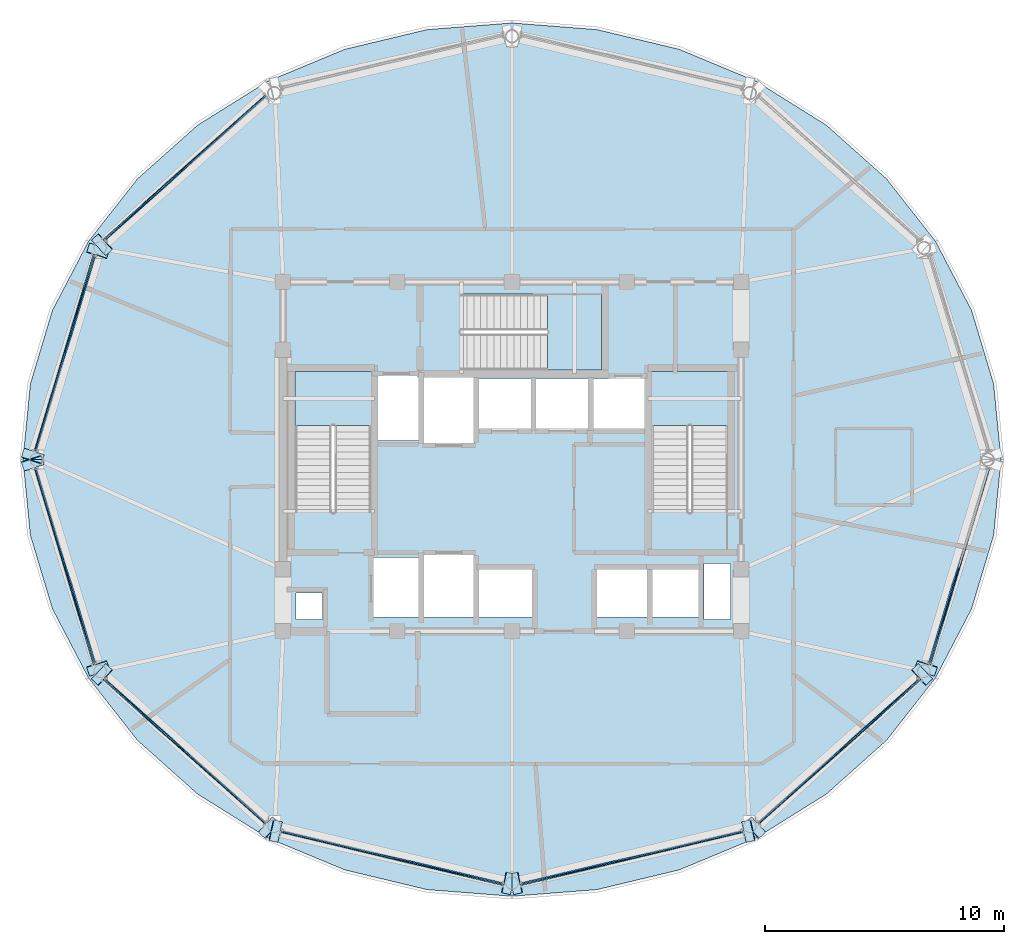
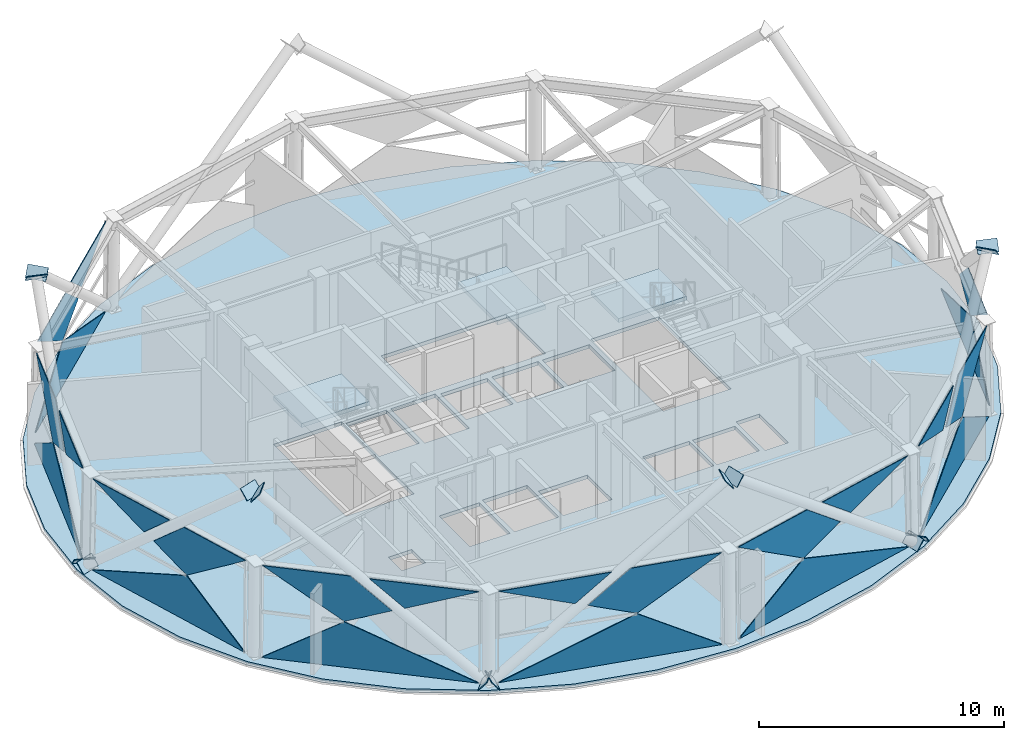
# One storey, part 6 of 14: 37 plates, 4 slabs, 11 elements without a shape of their own.
"""IFC4 building model written with IfcOpenShell, lengths in metres."""

from ifc_helpers import new_model, si_unit, direction, frame, origin, place, context, subcontext, project, spatial, polyline, outline, extrude, material, layer, layer_set, type_object, element, aggregate, save


model = new_model("IFC4")

# Units and contexts
model_context = context("Model", 3, precision=1e-05, world=origin(), true_north=direction((0.0, 1.0)))
body_context = subcontext(model_context, "Body", "Model", "MODEL_VIEW")
ifc_project = project(units=[si_unit("LENGTHUNIT", "METRE"), si_unit("AREAUNIT", "SQUARE_METRE"), si_unit("VOLUMEUNIT", "CUBIC_METRE"), si_unit("PLANEANGLEUNIT", "RADIAN"), si_unit("MASSUNIT", "GRAM", prefix="KILO")], contexts=[model_context])

# Site, building, storey
site_placement = place(None, origin())
site = spatial("IfcSite", under=ifc_project, at=site_placement, CompositionType="ELEMENT")
building_placement = place(site_placement, origin())
building = spatial("IfcBuilding", under=site, at=building_placement, Name="Vantalir Tower", CompositionType="ELEMENT")
storey_placement = place(building_placement, frame((0.0, 0.0, 259.050048828125)))
storey = spatial("IfcBuildingStorey", under=building, at=storey_placement, Name="L65", CompositionType="ELEMENT", Elevation=259.050048828125)

# Curtain wall, plates
ifc_material_1 = material(Name="Champagne-silver PVDF aluminium and double-silver Low-E glass", Category="aluminium")
ifc_layer_1 = layer(ifc_material_1, 0.22998046875)
ifc_layer_set_1 = layer_set([ifc_layer_1], Name="Champagne-silver PVDF aluminium and double-silver Low-E glass")
curtain_wall_type = type_object("IfcCurtainWallType", Name="CW-SKYLOBBY", PredefinedType="USERDEFINED", material=ifc_layer_set_1)
curtain_wall_1_placement = place(storey_placement, origin())
curtain_wall_1 = element("IfcCurtainWall", 1, at=curtain_wall_1_placement, inside=storey, type_object=curtain_wall_type, Name="L65 Quilted Pyramid-Diamond Curtain Wall S05", ObjectType="UNITISED CURTAIN WALL", PredefinedType="USERDEFINED")
ifc_material_2 = material(Name="High-clarity sky-lobby Low-E glass IGU", Category="glass")
ifc_layer_2 = layer(ifc_material_2, 0.035888671875)
ifc_layer_set_2 = layer_set([ifc_layer_2], Name="High-clarity sky-lobby Low-E glass IGU")
plate_type_1 = type_object("IfcPlateType", Name="CWP-IGU-LIGHT-36", PredefinedType="CURTAIN_PANEL", material=ifc_layer_set_2)
plate_1_placement = place(storey_placement, frame((21.127685546875, 40.270751953125, 0.047119140625), z_axis=(-0.665209640255, 0.746634118545, 0.005798925432), x_axis=(-0.746646463699, -0.665221057502, 5.3870596e-05)))
plate_1 = element("IfcPlate", 2, at=plate_1_placement, type_object=plate_type_1, Name="CW-L65-S05 Pyramid Diamond Facet 1L", PredefinedType="CURTAIN_PANEL", context=body_context, shape_type="SweptSolid", body=[
    extrude(outline(polyline([(0.0, 0.0), (9.063965951806155, 3.903127820947816e-18), (5.614265668390129, 2.2490029520814323), (0.0, 0.0)])), origin(), (0.0, 0.0, -1.0), 0.035888671875),
])
plate_2_placement = place(storey_placement, frame((17.1708984375, 36.6474609375, 4.572509765625), z_axis=(-0.665038685009, 0.74633558686, 0.026584567482), x_axis=(-0.746600637264, -0.665272488526, -6.6688574e-05)))
plate_2 = element("IfcPlate", 3, at=plate_2_placement, type_object=plate_type_1, Name="CW-L65-S05 Pyramid Diamond Facet 2U", PredefinedType="CURTAIN_PANEL", context=body_context, shape_type="SweptSolid", body=[
    extrude(outline(polyline([(0.0, 0.0), (3.67091296956547, 1.9678269430611905e-17), (0.24965990040274663, -2.2498019452031675), (-1.73638459212878, -1.4525341365943436), (0.0, 0.0)])), origin(), (0.0, 0.0, -1.0), 0.035888671875),
])
plate_3_placement = place(storey_placement, frame((21.14111328125, 40.238525390625, 4.57373046875), z_axis=(-0.665022021391, 0.746347339736, 0.026671324177), x_axis=(-0.74661389168, -0.665257614674, -5.3559103e-05)))
plate_3 = element("IfcPlate", 4, at=plate_3_placement, type_object=plate_type_1, Name="CW-L65-S05 Pyramid Diamond Facet 2U Infill Light", PredefinedType="CURTAIN_PANEL", context=body_context, shape_type="SweptSolid", body=[
    extrude(outline(polyline([(0.0, 0.0), (4.558340462755188, -1.826880660638075e-17), (3.0797673312139784, -1.2366030901460339), (0.0, 0.0)])), origin(), (0.0, 0.0, -1.0), 0.035888671875),
])
aggregate(curtain_wall_1, [plate_1, plate_2, plate_3])

curtain_wall_2_placement = place(storey_placement, origin())
curtain_wall_2 = element("IfcCurtainWall", 5, at=curtain_wall_2_placement, inside=storey, type_object=curtain_wall_type, Name="L65 Quilted Pyramid-Diamond Curtain Wall S06", ObjectType="UNITISED CURTAIN WALL", PredefinedType="USERDEFINED")
plate_4_placement = place(storey_placement, frame((13.94140625, 33.58447265625, 0.0478515625), z_axis=(-0.957619347428, 0.28796425822, 0.006463081274), x_axis=(-0.287970625363, -0.95763924088, -5.7046479e-05)))
plate_4 = element("IfcPlate", 6, at=plate_4_placement, type_object=plate_type_1, Name="CW-L65-S06 Pyramid Diamond Facet 1L", PredefinedType="CURTAIN_PANEL", context=body_context, shape_type="SweptSolid", body=[
    extrude(outline(polyline([(0.0, 0.0), (8.559358257097664, -5.095750210681871e-18), (3.2554200319369704, 2.248767837762143), (0.0, 0.0)])), origin(), (0.0, 0.0, -1.0), 0.035888671875),
])
plate_5_placement = place(storey_placement, frame((14.01123046875, 33.54833984375, 4.572021484375), z_axis=(-0.95724843419, 0.287944547348, 0.027629203627), x_axis=(-0.288052609899, -0.957614582572, 7.194278e-05)))
plate_5 = element("IfcPlate", 7, at=plate_5_placement, type_object=plate_type_1, Name="CW-L65-S06 Pyramid Diamond Facet 2U", PredefinedType="CURTAIN_PANEL", context=body_context, shape_type="SweptSolid", body=[
    extrude(outline(polyline([(0.0, 0.0), (3.453460336960957, -7.860465750519907e-19), (5.107600519070284, -1.4542917888111961), (3.2407563848935386, -2.24937858078949), (0.0, 0.0)])), origin(), (0.0, 0.0, -1.0), 0.035888671875),
])
plate_6_placement = place(storey_placement, frame((12.755859375, 29.513916015625, 4.573486328125), z_axis=(-0.957260632228, 0.287906831872, 0.027599604115), x_axis=(-0.2880150466, -0.95762588191, 5.6818908e-05)))
plate_6 = element("IfcPlate", 8, at=plate_6_placement, type_object=plate_type_1, Name="CW-L65-S06 Pyramid Diamond Facet 2U Infill Light", PredefinedType="CURTAIN_PANEL", context=body_context, shape_type="SweptSolid", body=[
    extrude(outline(polyline([(0.0, 0.0), (4.296820054136441, 4.6349642873755315e-18), (1.4024118707473108, -1.2329712505829111), (0.0, 0.0)])), origin(), (0.0, 0.0, -1.0), 0.035888671875),
])
aggregate(curtain_wall_2, [plate_4, plate_5, plate_6])

curtain_wall_3_placement = place(storey_placement, origin())
curtain_wall_3 = element("IfcCurtainWall", 9, at=curtain_wall_3_placement, inside=storey, type_object=curtain_wall_type, Name="L65 Quilted Pyramid-Diamond Curtain Wall S07", ObjectType="UNITISED CURTAIN WALL", PredefinedType="USERDEFINED")
plate_7_placement = place(storey_placement, frame((11.4765625, 24.6123046875, 0.04736328125), z_axis=(-0.957619347428, -0.28796425822, 0.006463081274), x_axis=(0.287970625363, -0.95763924088, 5.7046479e-05)))
plate_7 = element("IfcPlate", 10, at=plate_7_placement, type_object=plate_type_1, Name="CW-L65-S07 Pyramid Diamond Facet 1L", PredefinedType="CURTAIN_PANEL", context=body_context, shape_type="SweptSolid", body=[
    extrude(outline(polyline([(0.0, 0.0), (8.559358257097664, 5.095750210681871e-18), (5.303938225160693, 2.2487678377621427), (0.0, 0.0)])), origin(), (0.0, 0.0, -1.0), 0.035888671875),
])
plate_8_placement = place(storey_placement, frame((13.0166015625, 19.75830078125, 4.572265625), z_axis=(-0.957254476797, -0.287930583623, 0.027565298245), x_axis=(0.288038177349, -0.957618923911, -7.0410785e-05)))
plate_8 = element("IfcPlate", 11, at=plate_8_placement, type_object=plate_type_1, Name="CW-L65-S07 Pyramid Diamond Facet 2U", PredefinedType="CURTAIN_PANEL", context=body_context, shape_type="SweptSolid", body=[
    extrude(outline(polyline([(0.0, 0.0), (3.452992751556745, -6.396792817664476e-18), (0.21223385661785216, -2.2493749695886818), (-1.6543052557712787, -1.4545256062207026), (0.0, 0.0)])), origin(), (0.0, 0.0, -1.0), 0.035888671875),
])
plate_9_placement = place(storey_placement, frame((11.518310546875, 24.600830078125, 4.57373046875), z_axis=(-0.95725153181, -0.287926730762, 0.027707445917), x_axis=(0.28803580704, -0.957619637766, -5.6811796e-05)))
plate_9 = element("IfcPlate", 12, at=plate_9_placement, type_object=plate_type_1, Name="CW-L65-S07 Pyramid Diamond Facet 2U Infill Light", PredefinedType="CURTAIN_PANEL", context=body_context, shape_type="SweptSolid", body=[
    extrude(outline(polyline([(0.0, 0.0), (4.297357962082427, -4.038653092508504e-18), (2.894641230069384, -1.232974937724548), (0.0, 0.0)])), origin(), (0.0, 0.0, -1.0), 0.035888671875),
])
aggregate(curtain_wall_3, [plate_7, plate_8, plate_9])

curtain_wall_4_placement = place(storey_placement, origin())
curtain_wall_4 = element("IfcCurtainWall", 13, at=curtain_wall_4_placement, inside=storey, type_object=curtain_wall_type, Name="L65 Quilted Pyramid-Diamond Curtain Wall S08", ObjectType="UNITISED CURTAIN WALL", PredefinedType="USERDEFINED")
plate_10_placement = place(storey_placement, frame((14.360107421875, 15.7587890625, 0.047607421875), z_axis=(-0.665209640255, -0.746634118545, 0.005798925432), x_axis=(0.746646463699, -0.665221057502, -5.3870596e-05)))
plate_10 = element("IfcPlate", 14, at=plate_10_placement, type_object=plate_type_1, Name="CW-L65-S08 Pyramid Diamond Facet 1L", PredefinedType="CURTAIN_PANEL", context=body_context, shape_type="SweptSolid", body=[
    extrude(outline(polyline([(0.0, 0.0), (9.063965951806155, -3.903127820947816e-18), (3.449700283416027, 2.2490029520814323), (0.0, 0.0)])), origin(), (0.0, 0.0, -1.0), 0.035888671875),
])
plate_11_placement = place(storey_placement, frame((14.43017578125, 15.794677734375, 4.572265625), z_axis=(-0.665019710994, -0.746352909258, 0.026572896578), x_axis=(0.746617718788, -0.665253318409, 6.5855932e-05)))
plate_11 = element("IfcPlate", 15, at=plate_11_placement, type_object=plate_type_1, Name="CW-L65-S08 Pyramid Diamond Facet 2U", PredefinedType="CURTAIN_PANEL", context=body_context, shape_type="SweptSolid", body=[
    extrude(outline(polyline([(0.0, 0.0), (3.6712576640764287, 2.3391661871374758e-17), (5.4074800732288155, -1.45228496684362), (3.4212534055977466, -2.2498014319668105), (0.0, 0.0)])), origin(), (0.0, 0.0, -1.0), 0.035888671875),
])
plate_12_placement = place(storey_placement, frame((17.738037109375, 12.793701171875, 4.573486328125), z_axis=(-0.665021278776, -0.74635306567, 0.026529231803), x_axis=(0.746616790665, -0.665254361149, 5.3563153e-05)))
plate_12 = element("IfcPlate", 16, at=plate_12_placement, type_object=plate_type_1, Name="CW-L65-S08 Pyramid Diamond Facet 2U Infill Light", PredefinedType="CURTAIN_PANEL", context=body_context, shape_type="SweptSolid", body=[
    extrude(outline(polyline([(0.0, 0.0), (4.557995767606482, -1.0679391398982219e-17), (1.478410567179808, -1.2365984101413754), (0.0, 0.0)])), origin(), (0.0, 0.0, -1.0), 0.035888671875),
])
aggregate(curtain_wall_4, [plate_10, plate_11, plate_12])

curtain_wall_5_placement = place(storey_placement, origin())
curtain_wall_5 = element("IfcCurtainWall", 17, at=curtain_wall_5_placement, inside=storey, type_object=curtain_wall_type, Name="L65 Quilted Pyramid-Diamond Curtain Wall S09", ObjectType="UNITISED CURTAIN WALL", PredefinedType="USERDEFINED")
plate_13_placement = place(storey_placement, frame((21.82373046875, 9.365966796875, 0.047119140625), z_axis=(-0.232208272783, -0.972654078748, 0.004833337066), x_axis=(0.972665496256, -0.232210744313, 5.1164646e-05)))
plate_13 = element("IfcPlate", 18, at=plate_13_placement, type_object=plate_type_1, Name="CW-L65-S09 Pyramid Diamond Facet 1L", PredefinedType="CURTAIN_PANEL", context=body_context, shape_type="SweptSolid", body=[
    extrude(outline(polyline([(0.0, 0.0), (9.543332974029395, -3.7947076036992655e-19), (5.913377118243143, 2.2492354383627027), (0.0, 0.0)])), origin(), (0.0, 0.0, -1.0), 0.035888671875),
])
plate_14_placement = place(storey_placement, frame((27.337158203125, 8.12158203125, 4.572509765625), z_axis=(-0.232072840092, -0.972350631356, 0.026008586904), x_axis=(0.972679666256, -0.232151387786, -6.08885e-07)))
plate_14 = element("IfcPlate", 19, at=plate_14_placement, type_object=plate_type_1, Name="CW-L65-S09 Pyramid Diamond Facet 2U", PredefinedType="CURTAIN_PANEL", context=body_context, shape_type="SweptSolid", body=[
    extrude(outline(polyline([(0.0, 0.0), (3.8749283573383124, 6.938893903907228e-18), (0.2617034690342525, -2.250028559594019), (-1.8255058616383, -1.4523990860917348), (0.0, 0.0)])), origin(), (0.0, 0.0, -1.0), 0.035888671875),
])
plate_15_placement = place(storey_placement, frame((21.8544921875, 9.38916015625, 4.57373046875), z_axis=(-0.232120970754, -0.97233967106, 0.025988824886), x_axis=(0.972668205847, -0.232199399945, 0.0)))
plate_15 = element("IfcPlate", 20, at=plate_15_placement, type_object=plate_type_1, Name="CW-L65-S09 Pyramid Diamond Facet 2U Infill Light", PredefinedType="CURTAIN_PANEL", context=body_context, shape_type="SweptSolid", body=[
    extrude(outline(polyline([(0.0, 0.0), (4.808173829870431, 3.469446951953614e-18), (3.2483732604274036, -1.2411418724615468), (0.0, 0.0)])), origin(), (0.0, 0.0, -1.0), 0.035888671875),
])
aggregate(curtain_wall_5, [plate_13, plate_14, plate_15])

curtain_wall_6_placement = place(storey_placement, origin())
curtain_wall_6 = element("IfcCurtainWall", 21, at=curtain_wall_6_placement, inside=storey, type_object=curtain_wall_type, Name="L65 Quilted Pyramid-Diamond Curtain Wall S10", ObjectType="UNITISED CURTAIN WALL", PredefinedType="USERDEFINED")
plate_16_placement = place(storey_placement, frame((31.893798828125, 7.14990234375, 0.047607421875), z_axis=(0.232208272783, -0.972654078748, 0.004833337066), x_axis=(0.972665496256, 0.232210744313, -5.1164646e-05)))
plate_16 = element("IfcPlate", 22, at=plate_16_placement, type_object=plate_type_1, Name="CW-L65-S10 Pyramid Diamond Facet 1L", PredefinedType="CURTAIN_PANEL", context=body_context, shape_type="SweptSolid", body=[
    extrude(outline(polyline([(0.0, 0.0), (9.543332974029395, 3.7947076036992655e-19), (3.6299558557862515, 2.2492354383627022), (0.0, 0.0)])), origin(), (0.0, 0.0, -1.0), 0.035888671875),
])
plate_17_placement = place(storey_placement, frame((31.893798828125, 7.221923828125, 4.572509765625), z_axis=(0.232072840092, -0.972350631356, 0.026008586904), x_axis=(0.972679666256, 0.232151387786, 6.08885e-07)))
plate_17 = element("IfcPlate", 23, at=plate_17_placement, type_object=plate_type_1, Name="CW-L65-S10 Pyramid Diamond Facet 2U", PredefinedType="CURTAIN_PANEL", context=body_context, shape_type="SweptSolid", body=[
    extrude(outline(polyline([(0.0, 0.0), (3.8749283573383124, -6.938893903907228e-18), (5.700434218976612, -1.4523990860917348), (3.6132248883040603, -2.250028559594019), (0.0, 0.0)])), origin(), (0.0, 0.0, -1.0), 0.035888671875),
])
plate_18_placement = place(storey_placement, frame((36.46875, 8.272705078125, 4.57373046875), z_axis=(0.232120970754, -0.97233967106, 0.025988824886), x_axis=(0.972668205847, 0.232199399945, 0.0)))
plate_18 = element("IfcPlate", 24, at=plate_18_placement, type_object=plate_type_1, Name="CW-L65-S10 Pyramid Diamond Facet 2U Infill Light", PredefinedType="CURTAIN_PANEL", context=body_context, shape_type="SweptSolid", body=[
    extrude(outline(polyline([(0.0, 0.0), (4.808173829870431, -3.469446951953614e-18), (1.559800569443027, -1.2411418724615468), (0.0, 0.0)])), origin(), (0.0, 0.0, -1.0), 0.035888671875),
])
aggregate(curtain_wall_6, [plate_16, plate_17, plate_18])

curtain_wall_7_placement = place(storey_placement, origin())
curtain_wall_7 = element("IfcCurtainWall", 25, at=curtain_wall_7_placement, inside=storey, type_object=curtain_wall_type, Name="L65 Quilted Pyramid-Diamond Curtain Wall S11", ObjectType="UNITISED CURTAIN WALL", PredefinedType="USERDEFINED")
plate_19_placement = place(storey_placement, frame((41.872314453125, 9.729248046875, 0.047119140625), z_axis=(0.665209640255, -0.746634118545, 0.005798925432), x_axis=(0.746646463699, 0.665221057502, 5.3870596e-05)))
plate_19 = element("IfcPlate", 26, at=plate_19_placement, type_object=plate_type_1, Name="CW-L65-S11 Pyramid Diamond Facet 1L", PredefinedType="CURTAIN_PANEL", context=body_context, shape_type="SweptSolid", body=[
    extrude(outline(polyline([(0.0, 0.0), (9.063965951806155, 3.903127820947816e-18), (5.614265668390129, 2.2490029520814323), (0.0, 0.0)])), origin(), (0.0, 0.0, -1.0), 0.035888671875),
])
plate_20_placement = place(storey_placement, frame((45.828857421875, 13.352294921875, 4.572509765625), z_axis=(0.665019710994, -0.746352909258, 0.026572896578), x_axis=(0.746617718788, 0.665253318409, -6.5855932e-05)))
plate_20 = element("IfcPlate", 27, at=plate_20_placement, type_object=plate_type_1, Name="CW-L65-S11 Pyramid Diamond Facet 2U", PredefinedType="CURTAIN_PANEL", context=body_context, shape_type="SweptSolid", body=[
    extrude(outline(polyline([(0.0, 0.0), (3.6712576640764287, -2.3391661871374758e-17), (0.2500042584786825, -2.24980143196681), (-1.7362224091523866, -1.45228496684362), (0.0, 0.0)])), origin(), (0.0, 0.0, -1.0), 0.035888671875),
])
plate_21_placement = place(storey_placement, frame((41.85888671875, 9.761474609375, 4.57373046875), z_axis=(0.665021278776, -0.74635306567, 0.026529231803), x_axis=(0.746616790665, 0.665254361149, -5.3563153e-05)))
plate_21 = element("IfcPlate", 28, at=plate_21_placement, type_object=plate_type_1, Name="CW-L65-S11 Pyramid Diamond Facet 2U Infill Light", PredefinedType="CURTAIN_PANEL", context=body_context, shape_type="SweptSolid", body=[
    extrude(outline(polyline([(0.0, 0.0), (4.557995767606482, 1.0679391398982219e-17), (3.079585200426675, -1.2365984101413752), (0.0, 0.0)])), origin(), (0.0, 0.0, -1.0), 0.035888671875),
])
aggregate(curtain_wall_7, [plate_19, plate_20, plate_21])

curtain_wall_8_placement = place(storey_placement, origin())
curtain_wall_8 = element("IfcCurtainWall", 29, at=curtain_wall_8_placement, inside=storey, type_object=curtain_wall_type, Name="L65 Quilted Pyramid-Diamond Curtain Wall S12", ObjectType="UNITISED CURTAIN WALL", PredefinedType="USERDEFINED")
plate_22_placement = place(storey_placement, frame((49.05859375, 16.41552734375, 0.0478515625), z_axis=(0.957619347428, -0.28796425822, 0.006463081274), x_axis=(0.287970625363, 0.95763924088, -5.7046479e-05)))
plate_22 = element("IfcPlate", 30, at=plate_22_placement, type_object=plate_type_1, Name="CW-L65-S12 Pyramid Diamond Facet 1L", PredefinedType="CURTAIN_PANEL", context=body_context, shape_type="SweptSolid", body=[
    extrude(outline(polyline([(0.0, 0.0), (8.559358257097664, -5.095750210681871e-18), (3.2554200319369704, 2.248767837762143), (0.0, 0.0)])), origin(), (0.0, 0.0, -1.0), 0.035888671875),
])
plate_23_placement = place(storey_placement, frame((48.98876953125, 16.45166015625, 4.572021484375), z_axis=(0.957254476797, -0.287930583623, 0.027565298245), x_axis=(0.288038177349, 0.957618923911, 7.0410785e-05)))
plate_23 = element("IfcPlate", 31, at=plate_23_placement, type_object=plate_type_1, Name="CW-L65-S12 Pyramid Diamond Facet 2U", PredefinedType="CURTAIN_PANEL", context=body_context, shape_type="SweptSolid", body=[
    extrude(outline(polyline([(0.0, 0.0), (3.452992751556745, 6.396792817664476e-18), (5.107298007328024, -1.4545256062207024), (3.2407588949388924, -2.2493749695886818), (0.0, 0.0)])), origin(), (0.0, 0.0, -1.0), 0.035888671875),
])
aggregate(curtain_wall_8, [plate_22, plate_23])

# Plates
ifc_material_3 = material(Name="Steel S460", Category="steel")
ifc_layer_3 = layer(ifc_material_3, 0.035888671875)
ifc_layer_set_3 = layer_set([ifc_layer_3], Name="Steel S460")
plate_type_2 = type_object("IfcPlateType", Name="PLT-KN-Z2", PredefinedType="USERDEFINED", material=ifc_layer_set_3)
plate_24_placement = place(storey_placement, frame((48.369384765625, 16.187744140625, 7.9453125), z_axis=(-0.228204005691, -0.715768637027, 0.659998628813), x_axis=(0.952743345972, -0.303776424809, -2.0893377e-05)))
element("IfcPlate", 32, at=plate_24_placement, inside=storey, type_object=plate_type_2, Name="Node Cap Plate MEM-DG-L65-R01R End", ObjectType="FLANGE_PLATE", PredefinedType="USERDEFINED", context=body_context, shape_type="SweptSolid", body=[
    extrude(outline(polyline([(0.0, 0.0), (0.8799696863362682, 0.0), (0.8801111176562696, 0.580099376527527), (-9.117203594875431e-05, 0.5800504246284393), (0.0, 0.0)])), origin(), (0.0, 0.0, -1.0), 0.035888671875),
])
plate_25_placement = place(storey_placement, frame((13.870849609375, 34.197998046875, 7.9443359375), z_axis=(-0.565114667659, -0.518722275436, 0.641539253174), x_axis=(0.67622324085, -0.736696768364, 4.127611e-06)))
element("IfcPlate", 33, at=plate_25_placement, inside=storey, type_object=plate_type_2, Name="Node Cap Plate MEM-DG-L65-R13L End", ObjectType="FLANGE_PLATE", PredefinedType="USERDEFINED", context=body_context, shape_type="SweptSolid", body=[
    extrude(outline(polyline([(0.0, 0.0), (0.8801999213783855, 5.551115123125783e-17), (0.8800035416314902, 0.5798804130490948), (0.0001485714272290678, 0.5798898836711702), (0.0, 0.0)])), origin(), (0.0, 0.0, -1.0), 0.035888671875),
])
plate_26_placement = place(storey_placement, frame((11.051025390625, 24.520751953125, 0.0126953125), z_axis=(0.228148290052, -0.715593883274, 0.660207355281), x_axis=(0.952743342445, 0.303776435871, 2.0894882e-05)))
element("IfcPlate", 34, at=plate_26_placement, inside=storey, type_object=plate_type_2, Name="Node Cap Plate MEM-DG-L65-R19L Start", ObjectType="FLANGE_PLATE", PredefinedType="USERDEFINED", context=body_context, shape_type="SweptSolid", body=[
    extrude(outline(polyline([(0.0, 0.0), (0.8799696863364834, 0.0), (0.8800608583720017, 0.5798670245278725), (-0.00014143131957086174, 0.5799159919081394), (0.0, 0.0)])), origin(), (0.0, 0.0, -1.0), 0.035888671875),
])
plate_27_placement = place(storey_placement, frame((13.792236328125, 15.92041015625, 7.9453125), z_axis=(0.228204005691, -0.715768637027, 0.659998628813), x_axis=(0.952743345972, 0.303776424809, 2.0893377e-05)))
element("IfcPlate", 35, at=plate_27_placement, inside=storey, type_object=plate_type_2, Name="Node Cap Plate MEM-DG-L65-R19L End", ObjectType="FLANGE_PLATE", PredefinedType="USERDEFINED", context=body_context, shape_type="SweptSolid", body=[
    extrude(outline(polyline([(0.0, 0.0), (0.8799696863362682, 0.0), (0.8800608583722169, 0.5800504246284393), (-0.00014143132000145732, 0.580099376527527), (0.0, 0.0)])), origin(), (0.0, 0.0, -1.0), 0.035888671875),
])
plate_28_placement = place(storey_placement, frame((11.889404296875, 25.2119140625, 0.0126953125), z_axis=(0.228148290052, 0.715593883274, 0.660207355281), x_axis=(-0.952743342445, 0.303776435871, -2.0894882e-05)))
element("IfcPlate", 36, at=plate_28_placement, inside=storey, type_object=plate_type_2, Name="Node Cap Plate MEM-DG-L65-R19R Start", ObjectType="FLANGE_PLATE", PredefinedType="USERDEFINED", context=body_context, shape_type="SweptSolid", body=[
    extrude(outline(polyline([(0.0, 0.0), (0.8799696863364834, 0.0), (0.8801111176560543, 0.5799159919081394), (-9.117203551817767e-05, 0.5798670245278725), (0.0, 0.0)])), origin(), (0.0, 0.0, -1.0), 0.035888671875),
])
plate_29_placement = place(storey_placement, frame((14.630615234375, 33.811279296875, 7.9453125), z_axis=(0.228224535934, 0.715728818629, 0.66003471074), x_axis=(-0.952736121309, 0.303799083528, 0.0)))
element("IfcPlate", 37, at=plate_29_placement, inside=storey, type_object=plate_type_2, Name="Node Cap Plate MEM-DG-L65-R19R End", ObjectType="FLANGE_PLATE", PredefinedType="USERDEFINED", context=body_context, shape_type="SweptSolid", body=[
    extrude(outline(polyline([(0.0, 0.0), (0.8799696867771974, -2.7755575615628914e-17), (0.8801111172152696, 0.5800993771966005), (0.0001414304380720568, 0.5800993771966007), (0.0, 0.0)])), origin(), (0.0, 0.0, -1.0), 0.035888671875),
])
plate_30_placement = place(storey_placement, frame((21.683837890625, 8.9521484375, -0.005126953125), z_axis=(0.763539368306, -0.171508700871, 0.622569191795), x_axis=(0.219162310828, 0.975688414153, 0.0)))
element("IfcPlate", 38, at=plate_30_placement, inside=storey, type_object=plate_type_2, Name="Node Cap Plate MEM-DG-L65-R25L Start", ObjectType="FLANGE_PLATE", PredefinedType="USERDEFINED", context=body_context, shape_type="SweptSolid", body=[
    extrude(outline(polyline([(0.0, 0.0), (0.8800376899732579, 1.3877787807814457e-17), (0.8800063988749334, 0.5799614880151464), (-3.129109832450405e-05, 0.5799614880151464), (0.0, 0.0)])), origin(), (0.0, 0.0, -1.0), 0.035888671875),
])
plate_31_placement = place(storey_placement, frame((31.43310546875, 6.762939453125, 7.943359375), z_axis=(0.76369848389, -0.171544441932, 0.622364145935), x_axis=(0.219162310828, 0.975688414153, 0.0)))
element("IfcPlate", 39, at=plate_31_placement, inside=storey, type_object=plate_type_2, Name="Node Cap Plate MEM-DG-L65-R25L End", ObjectType="FLANGE_PLATE", PredefinedType="USERDEFINED", context=body_context, shape_type="SweptSolid", body=[
    extrude(outline(polyline([(0.0, 0.0), (0.8800376899732579, 0.0), (0.8800063988749334, 0.5801525637749628), (-3.129109832450405e-05, 0.5801525637749628), (0.0, 0.0)])), origin(), (0.0, 0.0, -1.0), 0.035888671875),
])
plate_32_placement = place(storey_placement, frame((21.461669921875, 10.0283203125, 0.003662109375), z_axis=(-0.565133053994, 0.518845560398, 0.641423351413), x_axis=(-0.676267543185, -0.736656098803, 4.615424e-05)))
element("IfcPlate", 40, at=plate_32_placement, inside=storey, type_object=plate_type_2, Name="Node Cap Plate MEM-DG-L65-R25R Start", ObjectType="FLANGE_PLATE", PredefinedType="USERDEFINED", context=body_context, shape_type="SweptSolid", body=[
    extrude(outline(polyline([(0.0, 0.0), (0.8801999191179147, -5.551115123125783e-17), (0.8800513522112454, 0.5800771777413594), (3.1280773702654094e-05, 0.5801830731785458), (0.0, 0.0)])), origin(), (0.0, 0.0, -1.0), 0.035888671875),
])
plate_33_placement = place(storey_placement, frame((14.466064453125, 16.449462890625, 7.9443359375), z_axis=(-0.565114667659, 0.518722275436, 0.641539253174), x_axis=(-0.67622324085, -0.736696768364, -4.127611e-06)))
element("IfcPlate", 41, at=plate_33_placement, inside=storey, type_object=plate_type_2, Name="Node Cap Plate MEM-DG-L65-R25R End", ObjectType="FLANGE_PLATE", PredefinedType="USERDEFINED", context=body_context, shape_type="SweptSolid", body=[
    extrude(outline(polyline([(0.0, 0.0), (0.8801999213783855, -5.551115123125783e-17), (0.8800513499511564, 0.5798898836711701), (0.00019637974689532377, 0.5798804130490947), (0.0, 0.0)])), origin(), (0.0, 0.0, -1.0), 0.035888671875),
])
plate_34_placement = place(storey_placement, frame((42.133544921875, 9.3798828125, 0.003662109375), z_axis=(0.565133053994, 0.518845560398, 0.641423351413), x_axis=(-0.676267543185, 0.736656098803, -4.615424e-05)))
element("IfcPlate", 42, at=plate_34_placement, inside=storey, type_object=plate_type_2, Name="Node Cap Plate MEM-DG-L65-R31L Start", ObjectType="FLANGE_PLATE", PredefinedType="USERDEFINED", context=body_context, shape_type="SweptSolid", body=[
    extrude(outline(polyline([(0.0, 0.0), (0.8801999191179147, 5.551115123125783e-17), (0.8801686383442121, 0.5801830731785458), (0.00014856690666928212, 0.5800771777413595), (0.0, 0.0)])), origin(), (0.0, 0.0, -1.0), 0.035888671875),
])
plate_35_placement = place(storey_placement, frame((49.129150390625, 15.801025390625, 7.9443359375), z_axis=(0.565114667659, 0.518722275436, 0.641539253174), x_axis=(-0.67622324085, 0.736696768364, 4.127611e-06)))
element("IfcPlate", 43, at=plate_35_placement, inside=storey, type_object=plate_type_2, Name="Node Cap Plate MEM-DG-L65-R31L End", ObjectType="FLANGE_PLATE", PredefinedType="USERDEFINED", context=body_context, shape_type="SweptSolid", body=[
    extrude(outline(polyline([(0.0, 0.0), (0.8801999213783855, 5.551115123125783e-17), (0.8800035416314902, 0.5798804130490948), (0.0001485714272290678, 0.5798898836711702), (0.0, 0.0)])), origin(), (0.0, 0.0, -1.0), 0.035888671875),
])
plate_36_placement = place(storey_placement, frame((41.123291015625, 9.810791015625, -0.005126953125), z_axis=(-0.763539368306, -0.171508700871, 0.622569191795), x_axis=(0.219162310828, -0.975688414153, 0.0)))
element("IfcPlate", 44, at=plate_36_placement, inside=storey, type_object=plate_type_2, Name="Node Cap Plate MEM-DG-L65-R31R Start", ObjectType="FLANGE_PLATE", PredefinedType="USERDEFINED", context=body_context, shape_type="SweptSolid", body=[
    extrude(outline(polyline([(0.0, 0.0), (0.8800376899732579, -1.3877787807814457e-17), (0.8800689810715825, 0.5799614880151462), (3.129109832450405e-05, 0.5799614880151464), (0.0, 0.0)])), origin(), (0.0, 0.0, -1.0), 0.035888671875),
])
plate_37_placement = place(storey_placement, frame((31.3740234375, 7.62158203125, 7.943359375), z_axis=(-0.76369848389, -0.171544441932, 0.622364145935), x_axis=(0.219162310828, -0.975688414153, 0.0)))
element("IfcPlate", 45, at=plate_37_placement, inside=storey, type_object=plate_type_2, Name="Node Cap Plate MEM-DG-L65-R31R End", ObjectType="FLANGE_PLATE", PredefinedType="USERDEFINED", context=body_context, shape_type="SweptSolid", body=[
    extrude(outline(polyline([(0.0, 0.0), (0.8800376899732579, 0.0), (0.8800689810715825, 0.5801525637749628), (3.129109832450405e-05, 0.5801525637749628), (0.0, 0.0)])), origin(), (0.0, 0.0, -1.0), 0.035888671875),
])

# Stair, slab
ifc_material_4 = material(Name="Concrete C40/50", Category="concrete")
stair_type = type_object("IfcStairType", Name="STR-CORE-1450", PredefinedType="HALF_TURN_STAIR", material=ifc_material_4)
stair_1_placement = place(storey_placement, origin())
stair_1 = element("IfcStair", 46, at=stair_1_placement, inside=storey, type_object=stair_type, Name="L65 Core Exit Stair 1", PredefinedType="HALF_TURN_STAIR")
ifc_layer_4 = layer(ifc_material_4, 0.199951171875)
ifc_layer_set_4 = layer_set([ifc_layer_4], Name="Concrete C40/50")
slab_type_1 = type_object("IfcSlabType", Name="SL-LAND-200", PredefinedType="LANDING", material=ifc_layer_set_4)
slab_1_placement = place(storey_placement, frame((0.0, 0.0, 2.199951171875)))
slab_1 = element("IfcSlab", 47, at=slab_1_placement, type_object=slab_type_1, Name="ST1 landing 1", PredefinedType="LANDING", context=body_context, shape_type="SweptSolid", body=[
    extrude(outline(polyline([(25.60009765625, 26.429931640625), (25.60009765625, 28.699951171875), (22.39990234375, 28.699951171875), (22.39990234375, 26.429931640625), (25.60009765625, 26.429931640625)])), origin(), (0.0, 0.0, 1.0), 0.199951171875),
])
aggregate(stair_1, [slab_1])

stair_2_placement = place(storey_placement, origin())
stair_2 = element("IfcStair", 48, at=stair_2_placement, inside=storey, type_object=stair_type, Name="L65 Core Exit Stair 2", PredefinedType="HALF_TURN_STAIR")
slab_2_placement = place(storey_placement, frame((0.0, 0.0, 2.199951171875)))
slab_2 = element("IfcSlab", 49, at=slab_2_placement, type_object=slab_type_1, Name="ST2 landing 1", PredefinedType="LANDING", context=body_context, shape_type="SweptSolid", body=[
    extrude(outline(polyline([(40.550048828125, 26.429931640625), (40.550048828125, 28.699951171875), (37.35009765625, 28.699951171875), (37.35009765625, 26.429931640625), (40.550048828125, 26.429931640625)])), origin(), (0.0, 0.0, 1.0), 0.199951171875),
])
aggregate(stair_2, [slab_2])

stair_3_placement = place(storey_placement, origin())
stair_3 = element("IfcStair", 50, at=stair_3_placement, inside=storey, type_object=stair_type, Name="L65 Core Exit Stair 3", PredefinedType="HALF_TURN_STAIR")
slab_3_placement = place(storey_placement, frame((0.0, 0.0, 2.199951171875)))
slab_3 = element("IfcSlab", 51, at=slab_3_placement, type_object=slab_type_1, Name="ST3 landing 1", PredefinedType="LANDING", context=body_context, shape_type="SweptSolid", body=[
    extrude(outline(polyline([(32.97998046875, 28.75), (35.25, 28.75), (35.25, 31.949951171875), (32.97998046875, 31.949951171875), (32.97998046875, 28.75)])), origin(), (0.0, 0.0, 1.0), 0.199951171875),
])
aggregate(stair_3, [slab_3])

# Slab
ifc_layer_5 = layer(ifc_material_4, 0.179931640625)
ifc_layer_set_5 = layer_set([ifc_layer_5], Name="Concrete C40/50")
slab_type_2 = type_object("IfcSlabType", Name="SL-TWR-180", PredefinedType="FLOOR", material=ifc_layer_set_5)
slab_4_placement = place(storey_placement, frame((0.0, 0.0, -0.179931640625)))
element("IfcSlab", 52, at=slab_4_placement, inside=storey, type_object=slab_type_2, Name="L65 Primary Structural Slab", PredefinedType="FLOOR", context=body_context, shape_type="SweptSolid", body=[
    extrude(outline(polyline([(15.7958984375, 13.23388671875), (18.322998046875, 10.97802734375), (21.25, 9.14794921875), (24.489013671875, 7.800048828125), (27.93994140625, 6.97412109375), (31.5, 6.696044921875), (35.06005859375, 6.97412109375), (38.510986328125, 7.800048828125), (41.75, 9.14794921875), (44.677001953125, 10.97802734375), (47.2041015625, 13.23388671875), (49.25390625, 15.847900390625), (50.763916015625, 18.739990234375), (51.68896484375, 21.822021484375), (52.0, 25.0), (51.68896484375, 28.177978515625), (50.763916015625, 31.260009765625), (49.25390625, 34.152099609375), (47.2041015625, 36.76611328125), (44.677001953125, 39.02197265625), (41.75, 40.85205078125), (38.510986328125, 42.199951171875), (35.06005859375, 43.02587890625), (31.5, 43.303955078125), (27.93994140625, 43.02587890625), (24.489013671875, 42.199951171875), (21.25, 40.85205078125), (18.322998046875, 39.02197265625), (15.7958984375, 36.76611328125), (13.74609375, 34.152099609375), (12.236083984375, 31.260009765625), (11.31103515625, 28.177978515625), (11.0, 25.0), (11.31103515625, 21.822021484375), (12.236083984375, 18.739990234375), (13.74609375, 15.847900390625), (15.7958984375, 13.23388671875)]), holes=[polyline([(22.39990234375, 28.699951171875), (25.60009765625, 28.699951171875), (25.60009765625, 22.7900390625), (22.39990234375, 22.7900390625), (22.39990234375, 28.699951171875)]), polyline([(40.550048828125, 28.699951171875), (40.550048828125, 22.7900390625), (37.35009765625, 22.7900390625), (37.35009765625, 28.699951171875), (40.550048828125, 28.699951171875)]), polyline([(29.340087890625, 28.75), (29.340087890625, 31.949951171875), (35.25, 31.949951171875), (35.25, 28.75), (29.340087890625, 28.75)]), polyline([(25.699951171875, 18.39990234375), (25.699951171875, 20.89990234375), (27.60009765625, 20.89990234375), (27.60009765625, 18.39990234375), (25.699951171875, 18.39990234375)]), polyline([(25.699951171875, 28.5), (27.60009765625, 28.5), (27.60009765625, 25.800048828125), (25.699951171875, 25.800048828125), (25.699951171875, 28.5)]), polyline([(29.89990234375, 21.0), (29.89990234375, 18.39990234375), (27.800048828125, 18.39990234375), (27.800048828125, 21.0), (29.89990234375, 21.0)]), polyline([(29.89990234375, 25.699951171875), (27.800048828125, 25.699951171875), (27.800048828125, 28.5), (29.89990234375, 28.5), (29.89990234375, 25.699951171875)]), polyline([(30.10009765625, 18.39990234375), (30.10009765625, 20.39990234375), (32.39990234375, 20.39990234375), (32.39990234375, 18.39990234375), (30.10009765625, 18.39990234375)]), polyline([(37.35009765625, 20.39990234375), (39.35009765625, 20.39990234375), (39.35009765625, 18.39990234375), (37.35009765625, 18.39990234375), (37.35009765625, 20.39990234375)]), polyline([(37.199951171875, 20.39990234375), (37.199951171875, 18.39990234375), (35.0, 18.39990234375), (35.0, 20.39990234375), (37.199951171875, 20.39990234375)]), polyline([(32.300048828125, 26.300048828125), (30.10009765625, 26.300048828125), (30.10009765625, 28.39990234375), (32.300048828125, 28.39990234375), (32.300048828125, 26.300048828125)]), polyline([(32.5, 26.300048828125), (32.5, 28.39990234375), (34.699951171875, 28.39990234375), (34.699951171875, 26.300048828125), (32.5, 26.300048828125)]), polyline([(34.89990234375, 28.39990234375), (37.10009765625, 28.39990234375), (37.10009765625, 26.300048828125), (34.89990234375, 26.300048828125), (34.89990234375, 28.39990234375)]), polyline([(23.550048828125, 19.39990234375), (23.550048828125, 18.300048828125), (22.449951171875, 18.300048828125), (22.449951171875, 19.39990234375), (23.550048828125, 19.39990234375)]), polyline([(40.64990234375, 18.300048828125), (39.550048828125, 18.300048828125), (39.550048828125, 20.64990234375), (40.64990234375, 20.64990234375), (40.64990234375, 18.300048828125)])]), origin(), (0.0, 0.0, 1.0), 0.179931640625),
])

save(model, "model.ifc")
